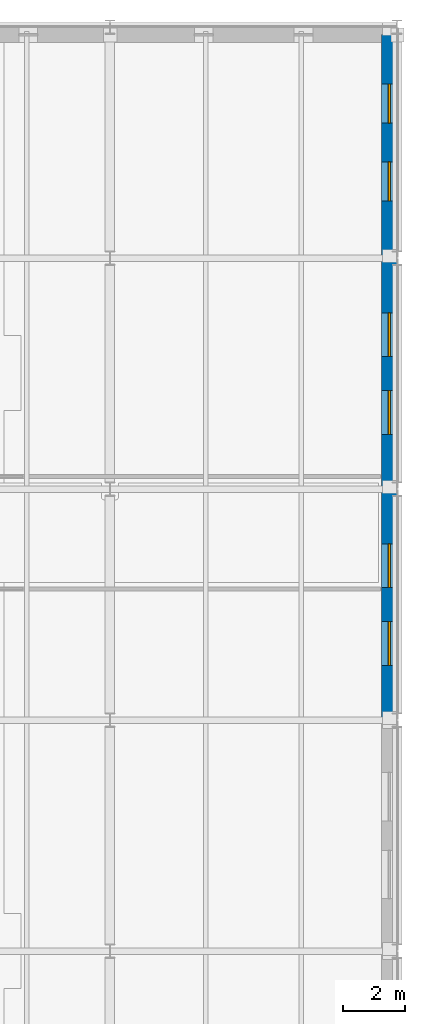
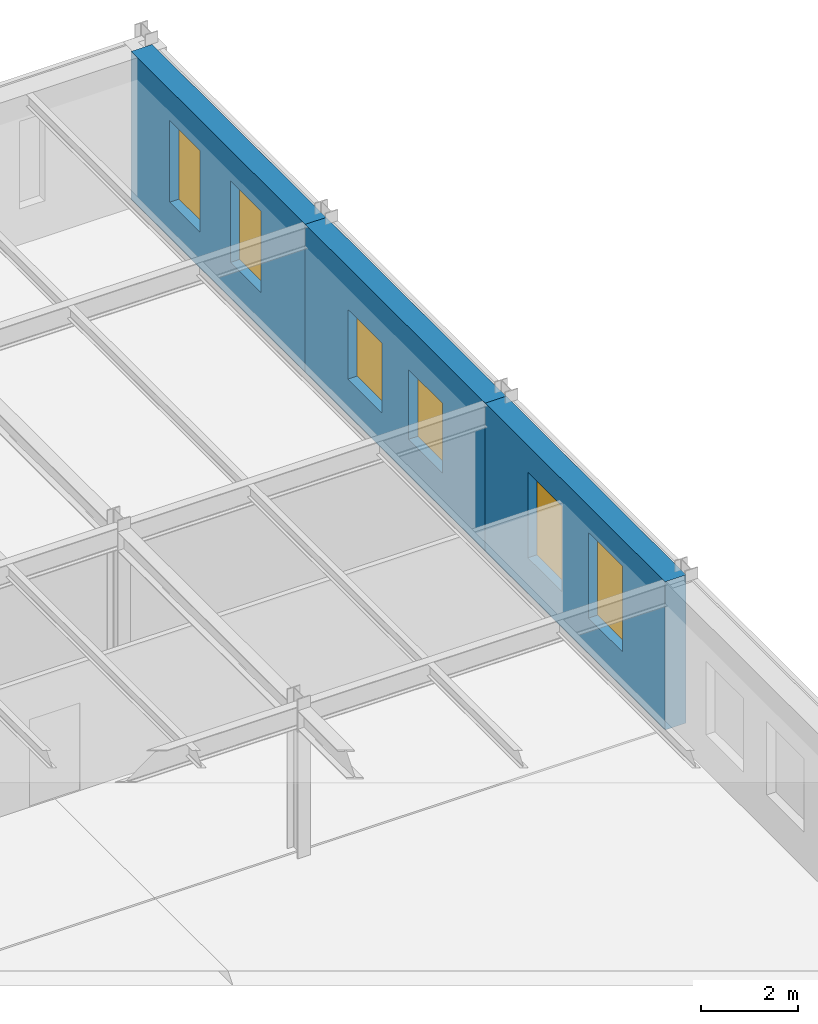
# One storey, part 43 of 56: 6 windows, 3 walls, 6 openings.
"""IFC4 building model written with IfcOpenShell, lengths in metres."""

from ifc_helpers import new_model, si_unit, direction, frame, frame_2d, origin, place, context, subcontext, project, spatial, rectangle, extrude, material, layer, layer_set, type_object, element, fill, save


model = new_model("IFC4")

# Units and contexts
model_context = context("Model", 3, precision=1e-05, world=origin(), true_north=direction((0.0, 1.0)))
body_context = subcontext(model_context, "Body", "Model", "MODEL_VIEW")
ifc_project = project(units=[si_unit("LENGTHUNIT", "METRE"), si_unit("AREAUNIT", "SQUARE_METRE"), si_unit("VOLUMEUNIT", "CUBIC_METRE"), si_unit("PLANEANGLEUNIT", "RADIAN"), si_unit("MASSUNIT", "GRAM", prefix="KILO")], contexts=[model_context])

# Site, building, storey
site_placement = place(None, origin())
site = spatial("IfcSite", under=ifc_project, at=site_placement, CompositionType="ELEMENT")
building_placement = place(site_placement, origin())
building = spatial("IfcBuilding", under=site, at=building_placement, Name="Valkorina Park Police Headquarters", CompositionType="ELEMENT")
storey_placement = place(building_placement, frame((0.0, 0.0, 14.10009765625)))
storey = spatial("IfcBuildingStorey", under=building, at=storey_placement, Name="L04", CompositionType="ELEMENT", Elevation=14.10009765625)

# Wall, openings, windows
ifc_material_1 = material(Name="Precast concrete C40/50", Category="concrete")
ifc_layer_1 = layer(ifc_material_1, 0.5)
ifc_layer_set_1 = layer_set([ifc_layer_1], Name="Precast concrete C40/50")
wall_type = type_object("IfcWallType", Name="WL-EXT-SPANDREL-500", PredefinedType="STANDARD", material=ifc_layer_set_1)
wall_1_placement = place(storey_placement, frame((161.75, 81.1650390625, 0.0), z_axis=(0.0, 0.0, 1.0), x_axis=(0.0, -1.0, 0.0)))
wall_1 = element("IfcWall", 1, at=wall_1_placement, inside=storey, type_object=wall_type, Name="L04 Architectural Concrete Exterior Wall 0248", PredefinedType="STANDARD", context=body_context, shape_type="SweptSolid", body=[
    extrude(rectangle(XDim=7.1650390625, YDim=0.5, at=frame_2d((3.58251953125, 0.0))), origin(), (0.0, 0.0, 1.0), 3.719970703125),
])
opening_1_placement = place(wall_1_placement, frame((1.592529296875, 0.0, 0.89990234375)))
opening_1 = element("IfcOpeningElement", 2, at=opening_1_placement, cuts=wall_1, Name="Opening WN-22", PredefinedType="OPENING", context=body_context, shape_type="SweptSolid", body=[
    extrude(rectangle(XDim=1.25, YDim=2.050048828125, at=frame_2d((0.625, 1.02490234375))), frame((0.0, 0.260009765625, 0.0), z_axis=(0.0, -1.0, 0.0), x_axis=(1.0, 0.0, 0.0)), (0.0, 0.0, 1.0), 0.52001953125),
])
opening_2_placement = place(wall_1_placement, frame((4.08740234375, 0.0, 0.89990234375)))
opening_2 = element("IfcOpeningElement", 3, at=opening_2_placement, cuts=wall_1, Name="Opening WN-22", PredefinedType="OPENING", context=body_context, shape_type="SweptSolid", body=[
    extrude(rectangle(XDim=1.25, YDim=2.050048828125, at=frame_2d((0.625, 1.02490234375))), frame((0.0, 0.260009765625, 0.0), z_axis=(0.0, -1.0, 0.0), x_axis=(1.0, 0.0, 0.0)), (0.0, 0.0, 1.0), 0.52001953125),
])
ifc_material_2 = material(Name="Triple low-E insulated glazing", Category="glass")
ifc_layer_2 = layer(ifc_material_2, 0.06005859375)
ifc_layer_set_2 = layer_set([ifc_layer_2], Name="Triple low-E insulated glazing")
window_type_1 = type_object("IfcWindowType", Name="WN-LAB-1250x2050", PartitioningType="SINGLE_PANEL", PredefinedType="WINDOW", material=ifc_layer_set_2)
window_1_placement = place(opening_1_placement, origin())
window_1 = element("IfcWindow", 4, at=window_1_placement, inside=storey, type_object=window_type_1, Name="Window L04-0420", OverallHeight=2.050048828125, OverallWidth=1.25, PartitioningType="SINGLE_PANEL", PredefinedType="WINDOW", context=body_context, shape_type="SweptSolid", body=[
    extrude(rectangle(XDim=1.25, YDim=2.050048828125, at=frame_2d((0.625, 1.02490234375))), frame((0.0, 0.030029296875, 0.0), z_axis=(0.0, -1.0, 0.0), x_axis=(1.0, 0.0, 0.0)), (0.0, 0.0, 1.0), 0.06005859375),
])
fill(opening_1, window_1)
window_2_placement = place(opening_2_placement, origin())
window_2 = element("IfcWindow", 5, at=window_2_placement, inside=storey, type_object=window_type_1, Name="Window L04-0421", OverallHeight=2.050048828125, OverallWidth=1.25, PartitioningType="SINGLE_PANEL", PredefinedType="WINDOW", context=body_context, shape_type="SweptSolid", body=[
    extrude(rectangle(XDim=1.25, YDim=2.050048828125, at=frame_2d((0.625, 1.02490234375))), frame((0.0, 0.030029296875, 0.0), z_axis=(0.0, -1.0, 0.0), x_axis=(1.0, 0.0, 0.0)), (0.0, 0.0, 1.0), 0.06005859375),
])
fill(opening_2, window_2)

wall_2_placement = place(storey_placement, frame((161.75, 74.0, 0.0), z_axis=(0.0, 0.0, 1.0), x_axis=(0.0, -1.0, 0.0)))
wall_2 = element("IfcWall", 6, at=wall_2_placement, inside=storey, type_object=wall_type, Name="L04 Architectural Concrete Exterior Wall 0249", PredefinedType="STANDARD", context=body_context, shape_type="SweptSolid", body=[
    extrude(rectangle(XDim=7.39990234375, YDim=0.5, at=frame_2d((3.699951171875, 0.0))), origin(), (0.0, 0.0, 1.0), 3.719970703125),
])
opening_3_placement = place(wall_2_placement, frame((1.752685546875, 0.0, 0.89990234375)))
opening_3 = element("IfcOpeningElement", 7, at=opening_3_placement, cuts=wall_2, Name="Opening WN-24", PredefinedType="OPENING", context=body_context, shape_type="SweptSolid", body=[
    extrude(rectangle(XDim=1.39990234375, YDim=1.75, at=frame_2d((0.699951171875, 0.875))), frame((0.0, 0.260009765625, 0.0), z_axis=(0.0, -1.0, 0.0), x_axis=(1.0, 0.0, 0.0)), (0.0, 0.0, 1.0), 0.52001953125),
])
opening_4_placement = place(wall_2_placement, frame((4.247314453125, 0.0, 0.89990234375)))
opening_4 = element("IfcOpeningElement", 8, at=opening_4_placement, cuts=wall_2, Name="Opening WN-24", PredefinedType="OPENING", context=body_context, shape_type="SweptSolid", body=[
    extrude(rectangle(XDim=1.39990234375, YDim=1.75, at=frame_2d((0.699951171875, 0.875))), frame((0.0, 0.260009765625, 0.0), z_axis=(0.0, -1.0, 0.0), x_axis=(1.0, 0.0, 0.0)), (0.0, 0.0, 1.0), 0.52001953125),
])
ifc_layer_3 = layer(ifc_material_2, 0.06005859375)
ifc_layer_set_3 = layer_set([ifc_layer_3], Name="Triple low-E insulated glazing")
window_type_2 = type_object("IfcWindowType", Name="WN-LAB-1400x1750", PartitioningType="SINGLE_PANEL", PredefinedType="WINDOW", material=ifc_layer_set_3)
window_3_placement = place(opening_3_placement, origin())
window_3 = element("IfcWindow", 9, at=window_3_placement, inside=storey, type_object=window_type_2, Name="Window L04-0422", OverallHeight=1.75, OverallWidth=1.39990234375, PartitioningType="SINGLE_PANEL", PredefinedType="WINDOW", context=body_context, shape_type="SweptSolid", body=[
    extrude(rectangle(XDim=1.39990234375, YDim=1.75, at=frame_2d((0.699951171875, 0.875))), frame((0.0, 0.030029296875, 0.0), z_axis=(0.0, -1.0, 0.0), x_axis=(1.0, 0.0, 0.0)), (0.0, 0.0, 1.0), 0.06005859375),
])
fill(opening_3, window_3)
window_4_placement = place(opening_4_placement, origin())
window_4 = element("IfcWindow", 10, at=window_4_placement, inside=storey, type_object=window_type_2, Name="Window L04-0423", OverallHeight=1.75, OverallWidth=1.39990234375, PartitioningType="SINGLE_PANEL", PredefinedType="WINDOW", context=body_context, shape_type="SweptSolid", body=[
    extrude(rectangle(XDim=1.39990234375, YDim=1.75, at=frame_2d((0.699951171875, 0.875))), frame((0.0, 0.030029296875, 0.0), z_axis=(0.0, -1.0, 0.0), x_axis=(1.0, 0.0, 0.0)), (0.0, 0.0, 1.0), 0.06005859375),
])
fill(opening_4, window_4)

wall_3_placement = place(storey_placement, frame((161.75, 66.60009765625, 0.0), z_axis=(0.0, 0.0, 1.0), x_axis=(0.0, -1.0, 0.0)))
wall_3 = element("IfcWall", 11, at=wall_3_placement, inside=storey, type_object=wall_type, Name="L04 Architectural Concrete Exterior Wall 0250", PredefinedType="STANDARD", context=body_context, shape_type="SweptSolid", body=[
    extrude(rectangle(XDim=7.400146484375, YDim=0.5, at=frame_2d((3.7001953125, 0.0))), origin(), (0.0, 0.0, 1.0), 3.719970703125),
])
opening_5_placement = place(wall_3_placement, frame((1.752685546875, 0.0, 0.89990234375)))
opening_5 = element("IfcOpeningElement", 12, at=opening_5_placement, cuts=wall_3, Name="Opening WN-25", PredefinedType="OPENING", context=body_context, shape_type="SweptSolid", body=[
    extrude(rectangle(XDim=1.39990234375, YDim=2.14990234375, at=frame_2d((0.699951171875, 1.074951171875))), frame((0.0, 0.260009765625, 0.0), z_axis=(0.0, -1.0, 0.0), x_axis=(1.0, 0.0, 0.0)), (0.0, 0.0, 1.0), 0.52001953125),
])
opening_6_placement = place(wall_3_placement, frame((4.247314453125, 0.0, 0.89990234375)))
opening_6 = element("IfcOpeningElement", 13, at=opening_6_placement, cuts=wall_3, Name="Opening WN-25", PredefinedType="OPENING", context=body_context, shape_type="SweptSolid", body=[
    extrude(rectangle(XDim=1.39990234375, YDim=2.14990234375, at=frame_2d((0.699951171875, 1.074951171875))), frame((0.0, 0.260009765625, 0.0), z_axis=(0.0, -1.0, 0.0), x_axis=(1.0, 0.0, 0.0)), (0.0, 0.0, 1.0), 0.52001953125),
])
ifc_layer_4 = layer(ifc_material_2, 0.06005859375)
ifc_layer_set_4 = layer_set([ifc_layer_4], Name="Triple low-E insulated glazing")
window_type_3 = type_object("IfcWindowType", Name="WN-LAB-1400x2150", PartitioningType="SINGLE_PANEL", PredefinedType="WINDOW", material=ifc_layer_set_4)
window_5_placement = place(opening_5_placement, origin())
window_5 = element("IfcWindow", 14, at=window_5_placement, inside=storey, type_object=window_type_3, Name="Window L04-0424", OverallHeight=2.14990234375, OverallWidth=1.39990234375, PartitioningType="SINGLE_PANEL", PredefinedType="WINDOW", context=body_context, shape_type="SweptSolid", body=[
    extrude(rectangle(XDim=1.39990234375, YDim=2.14990234375, at=frame_2d((0.699951171875, 1.074951171875))), frame((0.0, 0.030029296875, 0.0), z_axis=(0.0, -1.0, 0.0), x_axis=(1.0, 0.0, 0.0)), (0.0, 0.0, 1.0), 0.06005859375),
])
fill(opening_5, window_5)
window_6_placement = place(opening_6_placement, origin())
window_6 = element("IfcWindow", 15, at=window_6_placement, inside=storey, type_object=window_type_3, Name="Window L04-0425", OverallHeight=2.14990234375, OverallWidth=1.39990234375, PartitioningType="SINGLE_PANEL", PredefinedType="WINDOW", context=body_context, shape_type="SweptSolid", body=[
    extrude(rectangle(XDim=1.39990234375, YDim=2.14990234375, at=frame_2d((0.699951171875, 1.074951171875))), frame((0.0, 0.030029296875, 0.0), z_axis=(0.0, -1.0, 0.0), x_axis=(1.0, 0.0, 0.0)), (0.0, 0.0, 1.0), 0.06005859375),
])
fill(opening_6, window_6)

save(model, "model.ifc")
